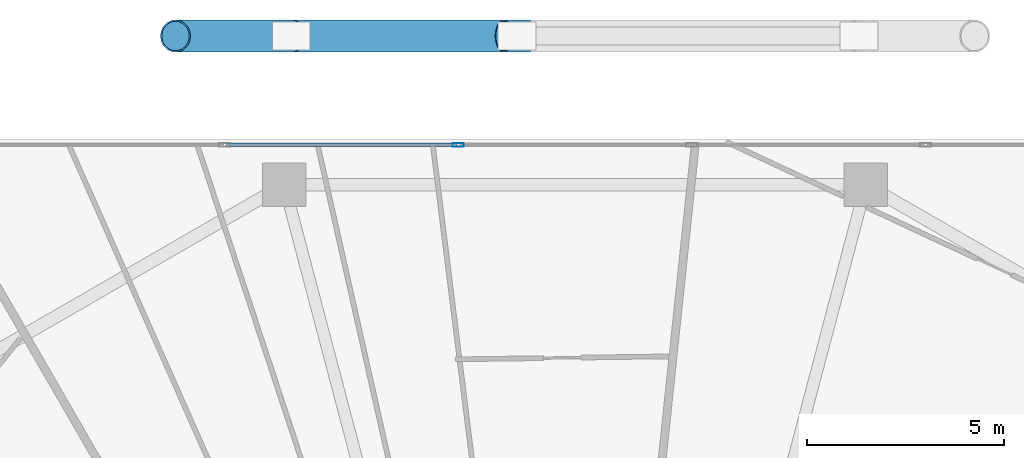
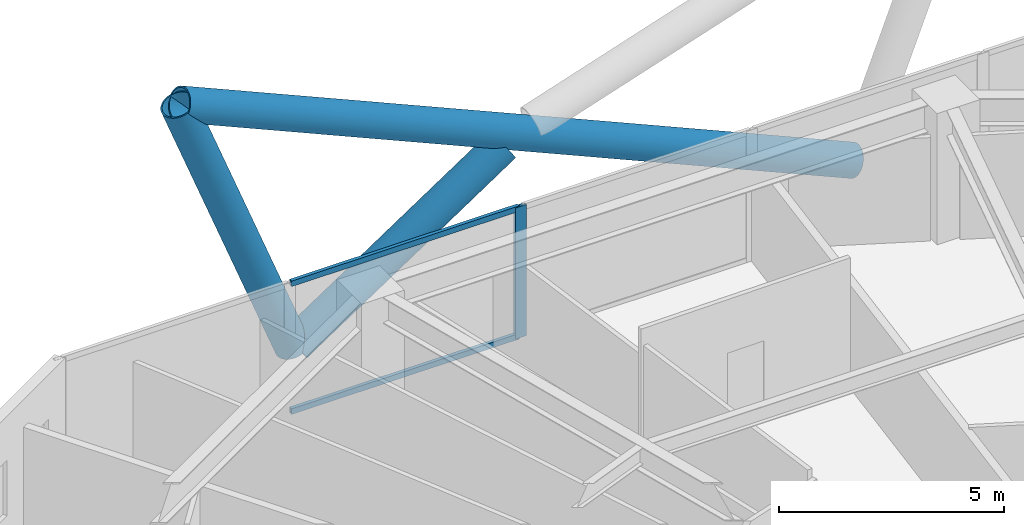
# One storey, part 18 of 34: 6 members, 1 element without a shape of its own.
"""IFC4 building model written with IfcOpenShell, lengths in metres."""

from ifc_helpers import new_model, si_unit, direction, frame, origin, origin_2d, place, context, subcontext, project, spatial, hollow_rectangle, hollow_circle, extrude, material, material_profile, profile_set, type_object, element, aggregate, save


model = new_model("IFC4")

# Units and contexts
model_context = context("Model", 3, precision=1e-05, world=origin(), true_north=direction((0.0, 1.0)))
body_context = subcontext(model_context, "Body", "Model", "MODEL_VIEW")
ifc_project = project(units=[si_unit("LENGTHUNIT", "METRE"), si_unit("AREAUNIT", "SQUARE_METRE"), si_unit("VOLUMEUNIT", "CUBIC_METRE"), si_unit("PLANEANGLEUNIT", "RADIAN"), si_unit("MASSUNIT", "GRAM", prefix="KILO")], contexts=[model_context])

# Site, building, storey
site_placement = place(None, origin())
site = spatial("IfcSite", under=ifc_project, at=site_placement, CompositionType="ELEMENT")
building_placement = place(site_placement, origin())
building = spatial("IfcBuilding", under=site, at=building_placement, Name="Zuhravey Tower", CompositionType="ELEMENT")
storey_placement = place(building_placement, frame((0.0, 0.0, 100.0)))
storey = spatial("IfcBuildingStorey", under=building, at=storey_placement, Name="L24", CompositionType="ELEMENT", Elevation=100.0)

# Curtain wall, members
ifc_material_1 = material(Name="Thermally broken anodised aluminium", Category="aluminium")
curtain_wall_type = type_object("IfcCurtainWallType", Name="Zone 1-2 Residential Curtain Wall CW3", PredefinedType="NOTDEFINED", material=ifc_material_1)
curtain_wall_placement = place(storey_placement, origin())
curtain_wall = element("IfcCurtainWall", 1, at=curtain_wall_placement, inside=storey, type_object=curtain_wall_type, Name="L24 CW3 CW-L24-F2-1", PredefinedType="NOTDEFINED")
ifc_material_2 = material(Name="Anodised aluminium", Category="aluminium")
ifc_material_profile_1 = material_profile(ifc_material_2, hollow_rectangle(XDim=0.090087890625, YDim=0.284912109375, WallThickness=0.0048828125, at=origin_2d()), Name="ALU-RHS-90x285x5")
ifc_profile_set_1 = profile_set([ifc_material_profile_1], Name="Anodised aluminium")
member_type_1 = type_object("IfcMemberType", Name="Curtain-Wall Mullion 90x180", PredefinedType="MULLION", material=ifc_profile_set_1)
member_1_placement = place(storey_placement, frame((33.0400390625, 60.95849609375, 0.0), z_axis=(0.0, 0.0, 1.0), x_axis=(0.0, 1.0, 0.0)))
member_1 = element("IfcMember", 2, at=member_1_placement, type_object=member_type_1, Name="CW3 mullion 3", PredefinedType="MULLION", context=body_context, shape_type="SweptSolid", body=[
    extrude(hollow_rectangle(XDim=0.090087890625, YDim=0.284912109375, WallThickness=0.0048828125, at=origin_2d()), origin(), (0.0, 0.0, 1.0), 3.550048828125),
])
ifc_material_profile_2 = material_profile(ifc_material_2, hollow_rectangle(XDim=0.090087890625, YDim=0.14990234375, WallThickness=0.0048828125, at=origin_2d()), Name="ALU-RHS-90x150x5")
ifc_profile_set_2 = profile_set([ifc_material_profile_2], Name="Anodised aluminium")
member_type_2 = type_object("IfcMemberType", Name="Curtain-Wall Transom 90x150", PredefinedType="USERDEFINED", material=ifc_profile_set_2)
member_2_placement = place(storey_placement, frame((27.165283203125, 60.95849609375, 0.044921875), z_axis=(1.0, 0.0, 0.0), x_axis=(0.0, 1.0, 0.0)))
member_2 = element("IfcMember", 3, at=member_2_placement, type_object=member_type_2, Name="CW3 transom 2.1", ObjectType="TRANSOM", PredefinedType="USERDEFINED", context=body_context, shape_type="SweptSolid", body=[
    extrude(hollow_rectangle(XDim=0.090087890625, YDim=0.14990234375, WallThickness=0.0048828125, at=origin_2d()), origin(), (0.0, 0.0, 1.0), 5.829833984375),
])
member_3_placement = place(storey_placement, frame((27.165283203125, 60.95849609375, 3.5048828125), z_axis=(1.0, 0.0, 0.0), x_axis=(0.0, 1.0, 0.0)))
member_3 = element("IfcMember", 4, at=member_3_placement, type_object=member_type_2, Name="CW3 transom 2.2", ObjectType="TRANSOM", PredefinedType="USERDEFINED", context=body_context, shape_type="SweptSolid", body=[
    extrude(hollow_rectangle(XDim=0.090087890625, YDim=0.14990234375, WallThickness=0.0048828125, at=origin_2d()), origin(), (0.0, 0.0, 1.0), 5.829833984375),
])
aggregate(curtain_wall, [member_1, member_2, member_3])

# Members
ifc_material_3 = material(Name="Steel SM460", Category="steel")
ifc_material_profile_3 = material_profile(ifc_material_3, hollow_circle(Radius=0.406494140625, WallThickness=0.035888671875, at=origin_2d()), Name="CHS-812.8x36")
ifc_profile_set_3 = profile_set([ifc_material_profile_3], Name="Steel SM460")
member_type_3 = type_object("IfcMemberType", Name="Exoskeleton Zone 1 Diagrid CHS813x36", PredefinedType="BRACE", material=ifc_profile_set_3)
member_4_placement = place(storey_placement, frame((43.143798828125, 63.718505859375, -0.44189453125), z_axis=(-0.915813914958, 0.0, 0.401602879931), x_axis=(0.0, -1.0, 0.0)))
element("IfcMember", 5, at=member_4_placement, inside=storey, type_object=member_type_3, Name="L24 Face 2 Diagrid Brace 2", PredefinedType="BRACE", context=body_context, shape_type="SweptSolid", body=[
    extrude(hollow_circle(Radius=0.406494140625, WallThickness=0.035888671875, at=origin_2d()), origin(), (0.0, 0.0, 1.0), 18.814453125),
])
member_5_placement = place(storey_placement, frame((28.797607421875, 63.718505859375, -0.44189453125), z_axis=(-0.361092156446, 0.0, 0.932530136003), x_axis=(0.0, -1.0, 0.0)))
element("IfcMember", 6, at=member_5_placement, inside=storey, type_object=member_type_3, Name="L24 Face 2 Diagrid Brace 4", PredefinedType="BRACE", context=body_context, shape_type="SweptSolid", body=[
    extrude(hollow_circle(Radius=0.406494140625, WallThickness=0.035888671875, at=origin_2d()), origin(), (0.0, 0.0, 1.0), 8.1025390625),
])
member_6_placement = place(storey_placement, frame((28.851806640625, 63.718505859375, -0.43359375), z_axis=(0.833055542468, 0.0, 0.553189355613), x_axis=(0.0, 1.0, 0.0)))
element("IfcMember", 7, at=member_6_placement, inside=storey, type_object=member_type_3, Name="L24 Face 2 Split Diagrid Brace 3A", PredefinedType="BRACE", context=body_context, shape_type="SweptSolid", body=[
    extrude(hollow_circle(Radius=0.406494140625, WallThickness=0.035888671875, at=origin_2d()), origin(), (0.0, 0.0, 1.0), 6.41796875),
])

save(model, "model.ifc")
